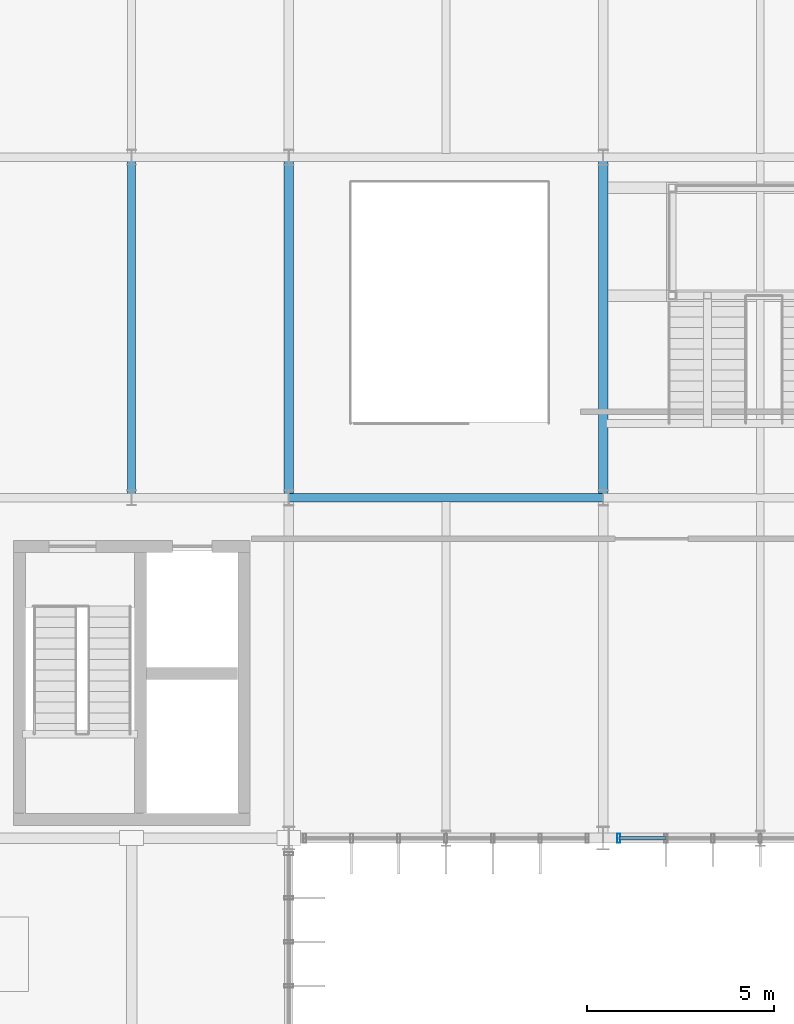
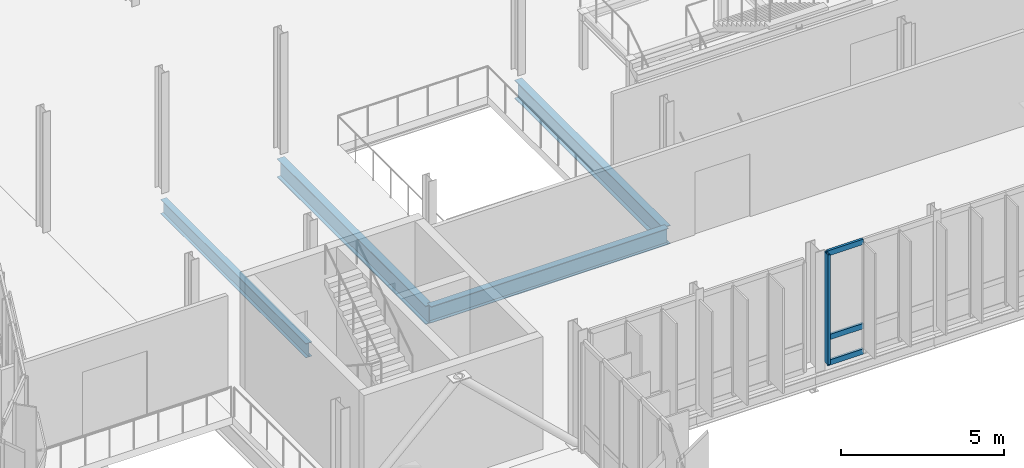
# One storey, part 39 of 139: 4 beams, 4 members, 1 element without a shape of its own.
"""IFC4 building model written with IfcOpenShell, lengths in metres."""

from ifc_helpers import new_model, si_unit, derived_unit, direction, frame, origin, origin_2d, place, context, subcontext, project, spatial, hollow_rectangle, i_section, extrude, material, layer, layer_set, material_profile, profile_set, type_object, element, aggregate, save


model = new_model("IFC4")

# Units and contexts
model_context = context("Model", 3, precision=1e-05, world=origin(), true_north=direction((0.0, 1.0)))
body_context = subcontext(model_context, "Body", "Model", "MODEL_VIEW")
ifc_project = project(units=[si_unit("LENGTHUNIT", "METRE"), si_unit("AREAUNIT", "SQUARE_METRE"), si_unit("VOLUMEUNIT", "CUBIC_METRE"), si_unit("PLANEANGLEUNIT", "RADIAN"), si_unit("MASSUNIT", "GRAM", prefix="KILO"), derived_unit("THERMALTRANSMITTANCEUNIT", [(si_unit("MASSUNIT", "GRAM", prefix="KILO"), 1), (si_unit("TIMEUNIT", "SECOND"), -3), (si_unit("THERMODYNAMICTEMPERATUREUNIT", "KELVIN"), -1)])], contexts=[model_context])

# Site, building, storey
site_placement = place(None, origin())
site = spatial("IfcSite", under=ifc_project, at=site_placement, CompositionType="ELEMENT")
building_placement = place(site_placement, origin())
building = spatial("IfcBuilding", under=site, at=building_placement, Name="Makaiwela Harbour Ferry Terminal", CompositionType="ELEMENT")
storey_placement = place(building_placement, frame((0.0, 0.0, 5.10009765625)))
storey = spatial("IfcBuildingStorey", under=building, at=storey_placement, Name="L01", CompositionType="ELEMENT", Elevation=5.10009765625)

# Curtain wall, members
ifc_material_1 = material(Name="Marine anodised aluminium 6063-T6", Category="aluminium")
ifc_layer = layer(ifc_material_1, 0.199951171875)
ifc_layer_set = layer_set([ifc_layer], Name="Marine anodised aluminium 6063-T6")
curtain_wall_type = type_object("IfcCurtainWallType", Name="ENV-CW-08", PredefinedType="USERDEFINED", material=ifc_layer_set)
curtain_wall_placement = place(storey_placement, origin())
curtain_wall = element("IfcCurtainWall", 1, at=curtain_wall_placement, inside=storey, type_object=curtain_wall_type, Name="Unitised Curtain Wall CWA-078", ObjectType="UNITIZED CURTAIN WALL", PredefinedType="USERDEFINED")
ifc_material_profile_1 = material_profile(ifc_material_1, hollow_rectangle(XDim=0.0849609375, YDim=0.25, WallThickness=0.0048828125, at=origin_2d()), Name="CWM-250X85")
ifc_profile_set_1 = profile_set([ifc_material_profile_1], Name="Marine anodised aluminium 6063-T6")
member_type_1 = type_object("IfcMemberType", Name="CW-MUL-250", PredefinedType="MULLION", material=ifc_profile_set_1)
member_1_placement = place(storey_placement, frame((80.219970703125, 49.39990234375, 0.0), z_axis=(0.0, 0.0, 1.0), x_axis=(1.0, 0.0, 0.0)))
member_1 = element("IfcMember", 2, at=member_1_placement, type_object=member_type_1, Name="Curtain Wall Mullion CWA-078-7", PredefinedType="MULLION", context=body_context, shape_type="SweptSolid", body=[
    extrude(hollow_rectangle(XDim=0.0849609375, YDim=0.25, WallThickness=0.0048828125, at=origin_2d()), origin(), (0.0, 0.0, 1.0), 4.099853515625),
])
ifc_material_profile_2 = material_profile(ifc_material_1, hollow_rectangle(XDim=0.0849609375, YDim=0.199951171875, WallThickness=0.0048828125, at=origin_2d()), Name="CWT-200X85")
ifc_profile_set_2 = profile_set([ifc_material_profile_2], Name="Marine anodised aluminium 6063-T6")
member_type_2 = type_object("IfcMemberType", Name="CW-TRN-200", PredefinedType="USERDEFINED", material=ifc_profile_set_2)
member_2_placement = place(storey_placement, frame((81.47998046875, 49.39990234375, 0.0), z_axis=(-1.0, 0.0, 0.0), x_axis=(0.0, -1.0, 0.0)))
member_2 = element("IfcMember", 3, at=member_2_placement, type_object=member_type_2, Name="Curtain Wall Transom CWA-078-6-1", ObjectType="TRANSOM", PredefinedType="USERDEFINED", context=body_context, shape_type="SweptSolid", body=[
    extrude(hollow_rectangle(XDim=0.0849609375, YDim=0.199951171875, WallThickness=0.0048828125, at=origin_2d()), origin(), (0.0, 0.0, 1.0), 1.260009765625),
])
member_3_placement = place(storey_placement, frame((81.47998046875, 49.39990234375, 0.949951171875), z_axis=(-1.0, 0.0, 0.0), x_axis=(0.0, -1.0, 0.0)))
member_3 = element("IfcMember", 4, at=member_3_placement, type_object=member_type_2, Name="Curtain Wall Transom CWA-078-6-2", ObjectType="TRANSOM", PredefinedType="USERDEFINED", context=body_context, shape_type="SweptSolid", body=[
    extrude(hollow_rectangle(XDim=0.0849609375, YDim=0.199951171875, WallThickness=0.0048828125, at=origin_2d()), origin(), (0.0, 0.0, 1.0), 1.260009765625),
])
member_4_placement = place(storey_placement, frame((81.47998046875, 49.39990234375, 4.099853515625), z_axis=(-1.0, 0.0, 0.0), x_axis=(0.0, -1.0, 0.0)))
member_4 = element("IfcMember", 5, at=member_4_placement, type_object=member_type_2, Name="Curtain Wall Transom CWA-078-6-3", ObjectType="TRANSOM", PredefinedType="USERDEFINED", context=body_context, shape_type="SweptSolid", body=[
    extrude(hollow_rectangle(XDim=0.0849609375, YDim=0.199951171875, WallThickness=0.0048828125, at=origin_2d()), origin(), (0.0, 0.0, 1.0), 1.260009765625),
])
aggregate(curtain_wall, [member_1, member_2, member_3, member_4])

# Beams
ifc_material_2 = material(Name="Steel ASTM A992 Grade 50", Category="steel")
ifc_material_profile_3 = material_profile(ifc_material_2, i_section(OverallWidth=0.2099609375, OverallDepth=0.537109375, WebThickness=0.010986328125, FlangeThickness=0.017333984375, at=origin_2d()), Name="W21X68")
ifc_profile_set_3 = profile_set([ifc_material_profile_3], Name="Steel ASTM A992 Grade 50")
beam_type_1 = type_object("IfcBeamType", Name="STR-BM-W21X68", PredefinedType="BEAM", material=ifc_profile_set_3)
beam_1_placement = place(storey_placement, frame((67.199951171875, 58.596435546875, -0.548583984375), z_axis=(0.0, 1.0, 0.0), x_axis=(-1.0, 0.0, 0.0)))
element("IfcBeam", 6, at=beam_1_placement, inside=storey, type_object=beam_type_1, Name="Secondary floor beam 1081", PredefinedType="BEAM", context=body_context, shape_type="SweptSolid", body=[
    extrude(i_section(OverallWidth=0.2099609375, OverallDepth=0.537109375, WebThickness=0.010986328125, FlangeThickness=0.017333984375, at=origin_2d()), origin(), (0.0, 0.0, 1.0), 8.906982421875),
])
ifc_material_profile_4 = material_profile(ifc_material_2, i_section(OverallWidth=0.22900390625, OverallDepth=0.612060546875, WebThickness=0.011962890625, FlangeThickness=0.01953125, at=origin_2d()), Name="W24X84")
ifc_profile_set_4 = profile_set([ifc_material_profile_4], Name="Steel ASTM A992 Grade 50")
beam_type_2 = type_object("IfcBeamType", Name="STR-GRD-W24X84", PredefinedType="USERDEFINED", material=ifc_profile_set_4)
beam_2_placement = place(storey_placement, frame((71.39990234375, 58.5, -0.586181640625), z_axis=(1.0, 0.0, 0.0), x_axis=(0.0, 1.0, 0.0)))
element("IfcBeam", 7, at=beam_2_placement, inside=storey, type_object=beam_type_2, Name="Primary X girder 831", ObjectType="GIRDER", PredefinedType="USERDEFINED", context=body_context, shape_type="SweptSolid", body=[
    extrude(i_section(OverallWidth=0.22900390625, OverallDepth=0.612060546875, WebThickness=0.011962890625, FlangeThickness=0.01953125, at=origin_2d()), origin(), (0.0, 0.0, 1.0), 8.400146484375),
])
ifc_material_profile_5 = material_profile(ifc_material_2, i_section(OverallWidth=0.256103515625, OverallDepth=0.693115234375, WebThickness=0.014404296875, FlangeThickness=0.023681640625, at=origin_2d()), Name="W27X114")
ifc_profile_set_5 = profile_set([ifc_material_profile_5], Name="Steel ASTM A992 Grade 50")
beam_type_3 = type_object("IfcBeamType", Name="STR-GRD-W27X114", PredefinedType="USERDEFINED", material=ifc_profile_set_5)
for number, where, z_axis, x_axis, name in (
    (8, (71.39990234375, 58.5, -0.626708984375), (0.0, 1.0, 0.0), (-1.0, 0.0, 0.0), "Primary Y girder 941"),
    (9, (79.800048828125, 58.5, -0.626708984375), (0.0, 1.0, 0.0), (-1.0, 0.0, 0.0), "Primary Y girder 951"),
):
    element("IfcBeam", number, at=place(storey_placement, frame(where, z_axis=z_axis, x_axis=x_axis)), inside=storey, type_object=beam_type_3, Name=name, ObjectType="GIRDER", PredefinedType="USERDEFINED", context=body_context, shape_type="SweptSolid", body=[
        extrude(i_section(OverallWidth=0.256103515625, OverallDepth=0.693115234375, WebThickness=0.014404296875, FlangeThickness=0.023681640625, at=origin_2d()), origin(), (0.0, 0.0, 1.0), 9.10009765625),
    ])

save(model, "model.ifc")
